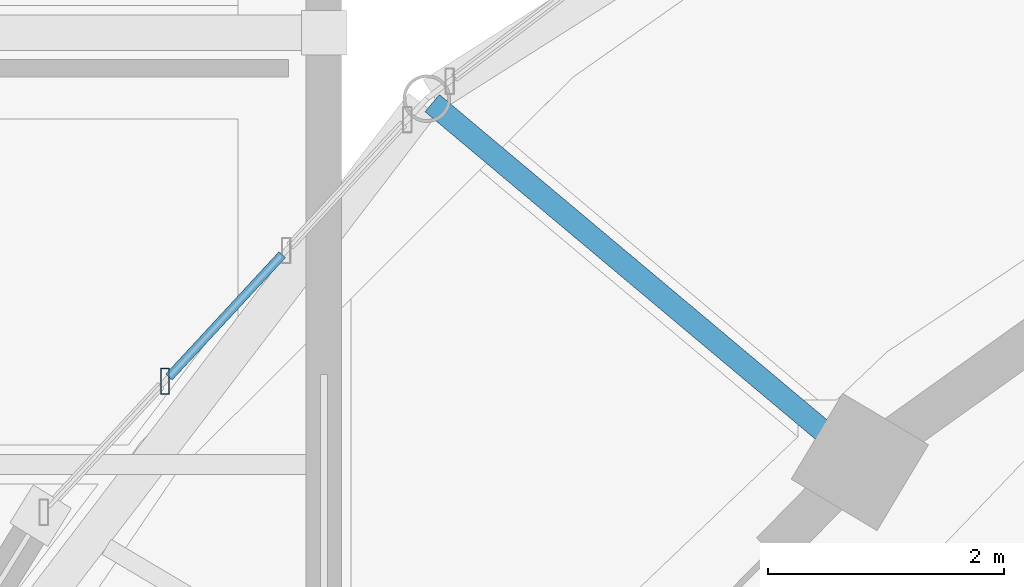
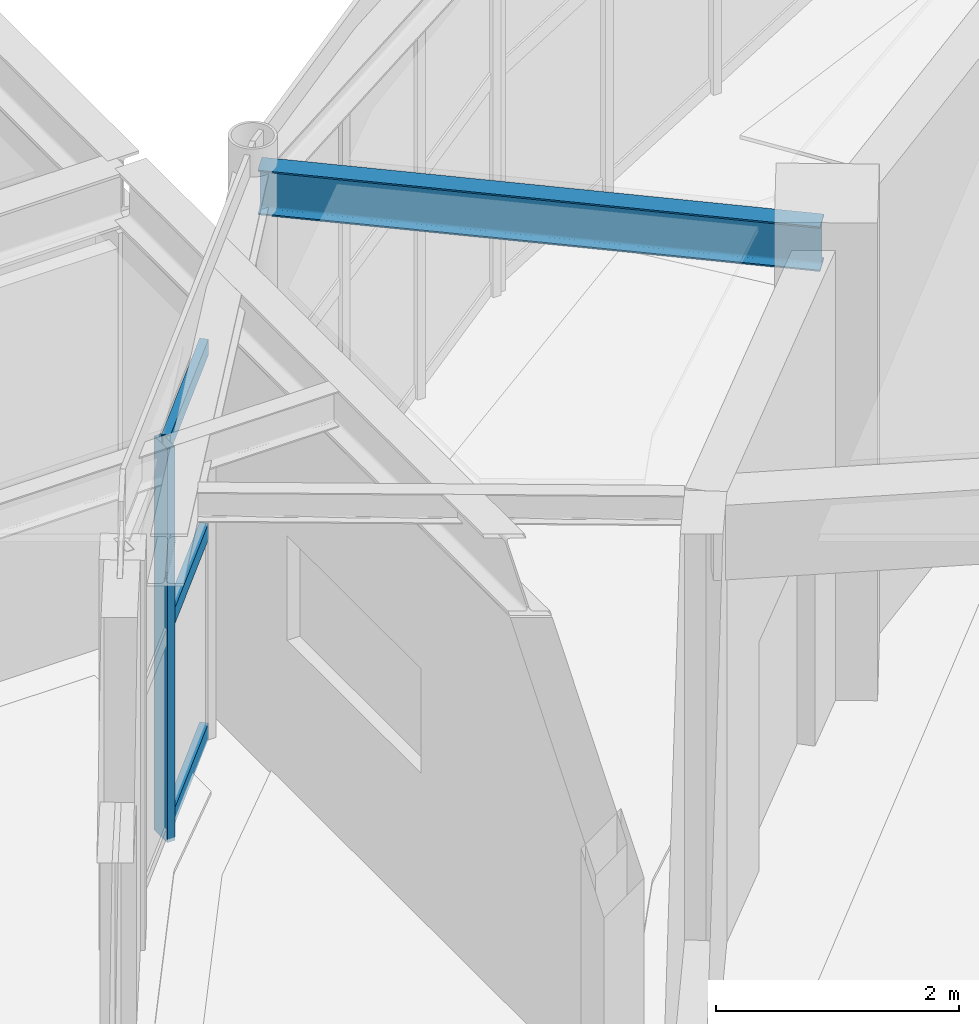
# One storey, part 35 of 108: 4 members, 1 beam, 1 element without a shape of its own.
"""IFC4 building model written with IfcOpenShell, lengths in metres."""

from ifc_helpers import new_model, si_unit, direction, frame, origin, origin_2d, place, context, subcontext, project, spatial, hollow_rectangle, i_section, extrude, material, material_profile, profile_set, type_object, element, aggregate, save


model = new_model("IFC4")

# Units and contexts
model_context = context("Model", 3, precision=1e-05, world=origin(), true_north=direction((0.0, 1.0)))
body_context = subcontext(model_context, "Body", "Model", "MODEL_VIEW")
ifc_project = project(units=[si_unit("LENGTHUNIT", "METRE"), si_unit("AREAUNIT", "SQUARE_METRE"), si_unit("VOLUMEUNIT", "CUBIC_METRE"), si_unit("PLANEANGLEUNIT", "RADIAN"), si_unit("MASSUNIT", "GRAM", prefix="KILO")], contexts=[model_context])

# Site, building, storey
site_placement = place(None, origin())
site = spatial("IfcSite", under=ifc_project, at=site_placement, CompositionType="ELEMENT")
building_placement = place(site_placement, origin())
building = spatial("IfcBuilding", under=site, at=building_placement, Name="Tarnveldt Headland Concert Hall", CompositionType="ELEMENT")
storey_placement = place(building_placement, origin())
storey = spatial("IfcBuildingStorey", under=building, at=storey_placement, Name="L00", CompositionType="ELEMENT", Elevation=0.0)

# Curtain wall, member
ifc_material_1 = material(Name="Marine-anodised aluminium EN AW-6063-T6", Category="aluminium")
curtain_wall_type = type_object("IfcCurtainWallType", Name="CW-F1", PredefinedType="NOTDEFINED", material=ifc_material_1)
curtain_wall_placement = place(storey_placement, origin())
curtain_wall = element("IfcCurtainWall", 1, at=curtain_wall_placement, inside=storey, type_object=curtain_wall_type, Name="Curtain wall CW-L00-012", PredefinedType="NOTDEFINED")
ifc_material_profile_1 = material_profile(ifc_material_1, hollow_rectangle(XDim=0.074951171875, YDim=0.219970703125, WallThickness=0.0048828125, at=origin_2d()), Name="ALU MULLION 75x220x5", Category="aluminium")
ifc_profile_set_1 = profile_set([ifc_material_profile_1], Name="Marine-anodised aluminium EN AW-6063-T6")
member_type_1 = type_object("IfcMemberType", Name="ML-200", PredefinedType="MULLION", material=ifc_profile_set_1)
member_1_placement = place(storey_placement, frame((56.150634765625, 68.040283203125, 0.0), z_axis=(0.0, 0.0, 1.0), x_axis=(1.0, 0.0, 0.0)))
member_1 = element("IfcMember", 2, at=member_1_placement, type_object=member_type_1, Name="Mullion CW-L00-012-3", PredefinedType="MULLION", context=body_context, shape_type="SweptSolid", body=[
    extrude(hollow_rectangle(XDim=0.074951171875, YDim=0.219970703125, WallThickness=0.0048828125, at=origin_2d()), origin(), (0.0, 0.0, 1.0), 3.9580078125),
])

# Beam
ifc_material_2 = material(Name="Steel S355", Category="steel")
ifc_material_profile_2 = material_profile(ifc_material_2, i_section(OverallWidth=0.18994140625, OverallDepth=0.449951171875, WebThickness=0.009521484375, FlangeThickness=0.0146484375, FilletRadius=0.02099609375, at=origin_2d()), Name="IPE450", Category="steel")
ifc_profile_set_2 = profile_set([ifc_material_profile_2], Name="Steel S355")
beam_type = type_object("IfcBeamType", Name="SB-IPE450", PredefinedType="BEAM", material=ifc_profile_set_2)
beam_placement = place(storey_placement, frame((62.020263671875, 67.381591796875, 4.294921875), z_axis=(-0.76607107782, 0.642755866351, 0.0), x_axis=(-0.642755866351, -0.76607107782, 0.0)))
element("IfcBeam", 3, at=beam_placement, inside=storey, type_object=beam_type, Name="Framing beam L00-369", PredefinedType="BEAM", context=body_context, shape_type="SweptSolid", body=[
    extrude(i_section(OverallWidth=0.18994140625, OverallDepth=0.449951171875, WebThickness=0.009521484375, FlangeThickness=0.0146484375, FilletRadius=0.02099609375, at=origin_2d()), origin(), (0.0, 0.0, 1.0), 4.699951171875),
])

# Member
ifc_material_profile_3 = material_profile(ifc_material_1, hollow_rectangle(XDim=0.074951171875, YDim=0.159912109375, WallThickness=0.00390625, at=origin_2d()), Name="ALU TRANSOM 75x160x4", Category="aluminium")
ifc_profile_set_3 = profile_set([ifc_material_profile_3], Name="Marine-anodised aluminium EN AW-6063-T6")
member_type_2 = type_object("IfcMemberType", Name="TR-160", PredefinedType="MEMBER", material=ifc_profile_set_3)
member_2_placement = place(storey_placement, frame((57.14599609375, 69.115234375, 0.050048828125), z_axis=(-0.679597183655, -0.733585487839, 0.0), x_axis=(0.733585487839, -0.679597183655, 0.0)))
member_2 = element("IfcMember", 4, at=member_2_placement, type_object=member_type_2, Name="Transom CW-L00-012-2-1", PredefinedType="MEMBER", context=body_context, shape_type="SweptSolid", body=[
    extrude(hollow_rectangle(XDim=0.074951171875, YDim=0.159912109375, WallThickness=0.00390625, at=origin_2d()), origin(), (0.0, 0.0, 1.0), 1.41552734375),
])

member_3_placement = place(storey_placement, frame((57.14599609375, 69.115234375, 2.05810546875), z_axis=(-0.679597183655, -0.733585487839, 0.0), x_axis=(0.733585487839, -0.679597183655, 0.0)))
member_3 = element("IfcMember", 5, at=member_3_placement, type_object=member_type_2, Name="Transom CW-L00-012-2-2", PredefinedType="MEMBER", context=body_context, shape_type="SweptSolid", body=[
    extrude(hollow_rectangle(XDim=0.074951171875, YDim=0.159912109375, WallThickness=0.00390625, at=origin_2d()), origin(), (0.0, 0.0, 1.0), 1.41552734375),
])

member_4_placement = place(storey_placement, frame((57.14599609375, 69.115234375, 3.907958984375), z_axis=(-0.679597183655, -0.733585487839, 0.0), x_axis=(0.733585487839, -0.679597183655, 0.0)))
member_4 = element("IfcMember", 6, at=member_4_placement, type_object=member_type_2, Name="Transom CW-L00-012-2-3", PredefinedType="MEMBER", context=body_context, shape_type="SweptSolid", body=[
    extrude(hollow_rectangle(XDim=0.074951171875, YDim=0.159912109375, WallThickness=0.00390625, at=origin_2d()), origin(), (0.0, 0.0, 1.0), 1.41552734375),
])

aggregate(curtain_wall, [member_1, member_2, member_3, member_4])

save(model, "model.ifc")
